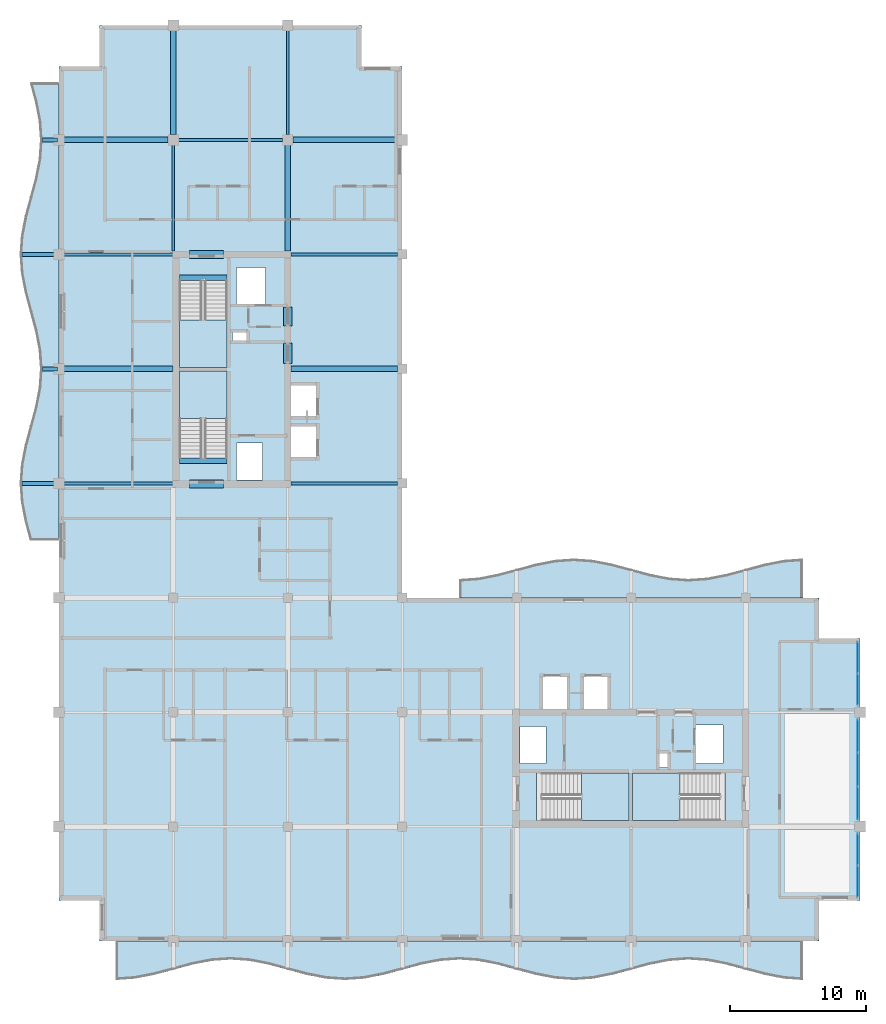
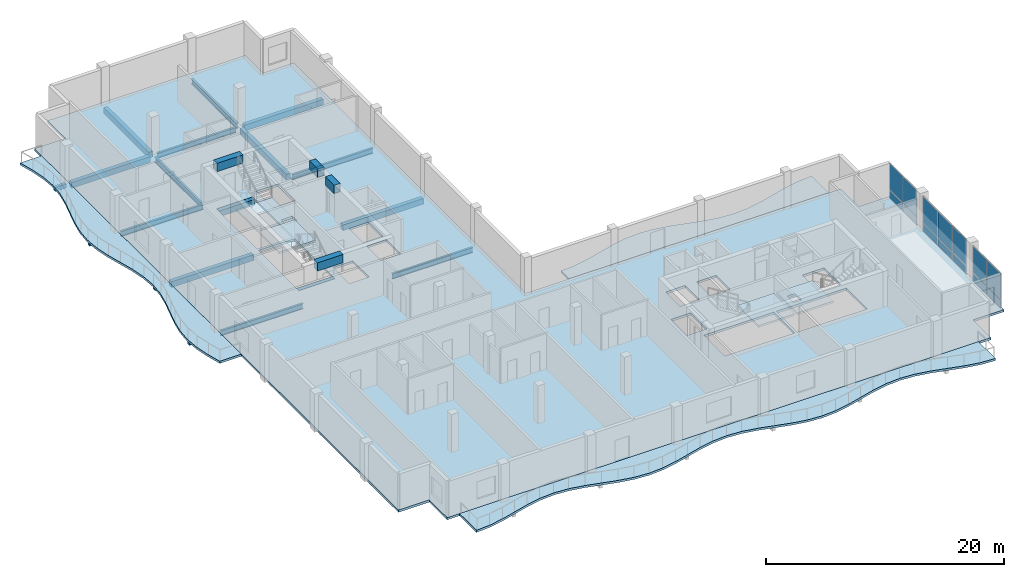
# One storey, part 5 of 14: 23 beams, 14 plates, 8 slabs, 7 elements without a shape of their own.
"""IFC4 building model written with IfcOpenShell, lengths in metres."""

import ifcopenshell
import ifcopenshell.guid

model = None  # the IFC model being written
_history = None  # IfcOwnerHistory: only IFC2X3 demands one
_inside = {}  # id of a spatial element -> (the spatial element, [elements in it])
_under = {}  # id of a project, library or spatial element -> (it, [spatial elements below it])
_declared = {}  # id of a project -> (the project, [libraries it declares])
_typed = {}  # id of a type object -> (the type object, [elements of that type])
_made_of = {}  # id of a material, layer set ... -> (it, [elements and type objects made of it])


def new_model(schema):
    """Start an empty IFC model of exactly this schema.

    Asked for "IFC4X3", IfcOpenShell would pick the latest addendum, in which some entities
    have other attributes; the version numbers below select the first issue.
    IFC2X3 requires an IfcOwnerHistory on every rooted entity: one is made here for all.
    """
    global model, _history
    if schema == "IFC4X3":
        model = ifcopenshell.file(schema_version=(4, 3, 0, 0))
    else:
        model = ifcopenshell.file(schema=schema)
    _inside.clear()
    _under.clear()
    _declared.clear()
    _typed.clear()
    _made_of.clear()
    _history = None
    if model.schema == "IFC2X3":
        org = make("IfcOrganization", Name="unknown")
        user = make(
            "IfcPersonAndOrganization",
            ThePerson=make("IfcPerson", FamilyName="unknown"),
            TheOrganization=org,
        )
        app = make(
            "IfcApplication",
            ApplicationDeveloper=org,
            Version="unknown",
            ApplicationFullName="unknown",
            ApplicationIdentifier="unknown",
        )
        _history = make(
            "IfcOwnerHistory",
            OwningUser=user,
            OwningApplication=app,
            ChangeAction="ADDED",
            CreationDate=0,
        )
    return model


def make(cls, **values):
    """One entity of the class cls with the attributes given. An attribute that is None is left unset."""
    return model.create_entity(
        cls, **{name: value for name, value in values.items() if value is not None}
    )


def rooted(cls, **values):
    """An entity with a GlobalId (a new one), such as an element, a storey or a relation."""
    return make(cls, GlobalId=ifcopenshell.guid.new(), OwnerHistory=_history, **values)


def si_unit(unit_type, name, prefix=None):
    """IfcSIUnit, for example si_unit("LENGTHUNIT", "METRE", prefix="MILLI")."""
    return make("IfcSIUnit", UnitType=unit_type, Prefix=prefix, Name=name)


def assignment(units):
    """IfcUnitAssignment: the units of a project."""
    return None if units is None else make("IfcUnitAssignment", Units=units)


def point(xyz):
    """IfcCartesianPoint."""
    return None if xyz is None else make("IfcCartesianPoint", Coordinates=xyz)


def direction(xyz):
    """IfcDirection."""
    return None if xyz is None else make("IfcDirection", DirectionRatios=xyz)


def frame(location, z_axis=None, x_axis=None):
    """IfcAxis2Placement3D, a coordinate frame: its origin and axes. An axis left out is left unset."""
    return make(
        "IfcAxis2Placement3D",
        Location=point(location),
        Axis=direction(z_axis),
        RefDirection=direction(x_axis),
    )


def frame_2d(location, x_axis=None):
    """IfcAxis2Placement2D, a coordinate frame in the plane: its origin and x axis."""
    return make(
        "IfcAxis2Placement2D", Location=point(location), RefDirection=direction(x_axis)
    )


def origin():
    """The frame at (0, 0, 0) with its axes left unset."""
    return frame((0.0, 0.0, 0.0))


def origin_2d():
    """The frame at (0, 0) in the plane with its x axis left unset."""
    return frame_2d((0.0, 0.0))


def place(relative_to, where):
    """IfcLocalPlacement: puts the frame where relative to a parent placement (None: the world)."""
    return make(
        "IfcLocalPlacement", PlacementRelTo=relative_to, RelativePlacement=where
    )


def context(
    kind, dimensions, precision=None, world=None, true_north=None, identifier=None
):
    """IfcGeometricRepresentationContext, for example the 3D "Model" context."""
    return make(
        "IfcGeometricRepresentationContext",
        ContextIdentifier=identifier,
        ContextType=kind,
        CoordinateSpaceDimension=dimensions,
        Precision=precision,
        WorldCoordinateSystem=world,
        TrueNorth=true_north,
    )


def subcontext(parent, identifier, kind, view, scale=None):
    """IfcGeometricRepresentationSubContext, for example "Body" below "Model"."""
    return make(
        "IfcGeometricRepresentationSubContext",
        ContextIdentifier=identifier,
        ContextType=kind,
        ParentContext=parent,
        TargetScale=scale,
        TargetView=view,
    )


def project(units=None, contexts=None):
    """IfcProject with its units and contexts."""
    return rooted(
        "IfcProject",
        Name="project",
        RepresentationContexts=contexts,
        UnitsInContext=assignment(units),
    )


def spatial(cls, under=None, at=None, **own):
    """A site, building, storey or space (cls), placed at a placement, below another one or the project."""
    s = rooted(cls, ObjectPlacement=at, **own)
    if under is not None:
        _under.setdefault(under.id(), (under, []))[1].append(s)
    return s


def polyline(points):
    """IfcPolyline through the points."""
    return make("IfcPolyline", Points=[point(p) for p in points])


def profile(cls, at=None, kind="AREA", **sizes):
    """A parametric profile (cls). Its sizes go by their IFC names, for example OverallWidth=200.0."""
    return make(cls, ProfileType=kind, Position=at, **sizes)


def rectangle(**sizes):
    """IfcRectangleProfileDef."""
    return profile("IfcRectangleProfileDef", **sizes)


def i_section(**sizes):
    """IfcIShapeProfileDef."""
    return profile("IfcIShapeProfileDef", **sizes)


def outline(outer, holes=None, kind="AREA"):
    """IfcArbitraryClosedProfileDef: a profile drawn as a closed curve; with holes, ...WithVoids."""
    if holes is None:
        return make("IfcArbitraryClosedProfileDef", ProfileType=kind, OuterCurve=outer)
    return make(
        "IfcArbitraryProfileDefWithVoids",
        ProfileType=kind,
        OuterCurve=outer,
        InnerCurves=holes,
    )


def extrude(swept, where, along, depth):
    """IfcExtrudedAreaSolid: the profile swept, set in the frame where, extruded along a direction by depth."""
    return make(
        "IfcExtrudedAreaSolid",
        SweptArea=swept,
        Position=where,
        ExtrudedDirection=direction(along),
        Depth=depth,
    )


def shape(context_of_items, identifier, shape_type, items):
    """IfcShapeRepresentation: the items that make up one representation, for example the "Body"."""
    return make(
        "IfcShapeRepresentation",
        ContextOfItems=context_of_items,
        RepresentationIdentifier=identifier,
        RepresentationType=shape_type,
        Items=items,
    )


def material(Name=None, Category=None):
    """IfcMaterial."""
    return make("IfcMaterial", Name=Name, Category=Category)


def layer(
    of_material, thickness, ventilated=None, Name=None, Category=None, Priority=None
):
    """IfcMaterialLayer: one layer of a wall or slab, of a material (None: an air gap)."""
    return make(
        "IfcMaterialLayer",
        Material=of_material,
        LayerThickness=thickness,
        IsVentilated=ventilated,
        Name=Name,
        Category=Category,
        Priority=Priority,
    )


def layer_set(layers, Name=None):
    """IfcMaterialLayerSet."""
    return make("IfcMaterialLayerSet", MaterialLayers=layers, LayerSetName=Name)


def material_profile(
    of_material, cross_section, Name=None, Category=None, Priority=None
):
    """IfcMaterialProfile: a cross section and its material."""
    return make(
        "IfcMaterialProfile",
        Name=Name,
        Material=of_material,
        Profile=cross_section,
        Priority=Priority,
        Category=Category,
    )


def profile_set(profiles, Name=None, composite=None):
    """IfcMaterialProfileSet."""
    return make(
        "IfcMaterialProfileSet",
        Name=Name,
        MaterialProfiles=profiles,
        CompositeProfile=composite,
    )


def made_of(thing, what):
    """Note that an element or type object is made of a material, layer set ...; save() writes the relation."""
    if what is not None:
        _made_of.setdefault(what.id(), (what, []))[1].append(thing)
    return thing


def type_object(cls, material=None, **own):
    """A type object (cls), such as IfcWallType, which elements share."""
    return made_of(rooted(cls, **own), material)


def element(
    cls,
    number,
    at=None,
    inside=None,
    cuts=None,
    type_object=None,
    material=None,
    context=None,
    identifier="Body",
    shape_type=None,
    held_by="IfcProductDefinitionShape",
    body=None,
    shapes=None,
    **own,
):
    """One element of the class cls, such as IfcWall. Its Tag is "e" and its number.

    at: its placement. inside: the storey or other place that contains it. cuts: it is an
    opening in that element (IfcRelVoidsElement). A single representation is given by context,
    identifier, shape_type and body (its items); several are given by shapes. held_by: the class
    of the entity that holds the representations. save() writes the other relations.
    """
    e = rooted(cls, Tag="e%d" % number, ObjectPlacement=at, **own)
    if body is not None:
        shapes = [shape(context, identifier, shape_type, body)]
    if shapes is not None:
        e.Representation = make(held_by, Representations=shapes)
    if inside is not None:
        _inside.setdefault(inside.id(), (inside, []))[1].append(e)
    if cuts is not None:
        rooted(
            "IfcRelVoidsElement", RelatingBuildingElement=cuts, RelatedOpeningElement=e
        )
    if type_object is not None:
        _typed.setdefault(type_object.id(), (type_object, []))[1].append(e)
    return made_of(e, material)


def aggregate(whole, parts):
    """IfcRelAggregates: a whole, such as a stair, and the parts it consists of."""
    return rooted("IfcRelAggregates", RelatingObject=whole, RelatedObjects=parts)


def save(model, path):
    """Write the relations noted so far, then the file.

    IfcRelAggregates (storeys below a building ...), IfcRelContainedInSpatialStructure (elements
    in a storey), IfcRelDefinesByType, IfcRelAssociatesMaterial and IfcRelDeclares: one each for
    every whole, place, type object, material and project.
    """
    for whole, parts in _under.values():
        aggregate(whole, parts)
    for where, things in _inside.values():
        rooted(
            "IfcRelContainedInSpatialStructure",
            RelatedElements=things,
            RelatingStructure=where,
        )
    for kind, things in _typed.values():
        rooted("IfcRelDefinesByType", RelatedObjects=things, RelatingType=kind)
    for what, things in _made_of.values():
        rooted("IfcRelAssociatesMaterial", RelatedObjects=things, RelatingMaterial=what)
    for by, libraries in _declared.values():
        rooted("IfcRelDeclares", RelatingContext=by, RelatedDefinitions=libraries)
    model.write(path)


model = new_model("IFC4")

# Units and contexts
model_context = context("Model", 3, precision=1e-05, world=origin(), true_north=direction((0.0, 1.0)))
body_context = subcontext(model_context, "Body", "Model", "MODEL_VIEW")
ifc_project = project(units=[si_unit("LENGTHUNIT", "METRE"), si_unit("AREAUNIT", "SQUARE_METRE"), si_unit("VOLUMEUNIT", "CUBIC_METRE"), si_unit("PLANEANGLEUNIT", "RADIAN"), si_unit("MASSUNIT", "GRAM", prefix="KILO")], contexts=[model_context])

# Site, building, storey
site_placement = place(None, origin())
site = spatial("IfcSite", under=ifc_project, at=site_placement, CompositionType="ELEMENT")
building_placement = place(site_placement, origin())
building = spatial("IfcBuilding", under=site, at=building_placement, Name="Koriwani Terraces Tower", CompositionType="ELEMENT")
storey_placement = place(building_placement, frame((0.0, 0.0, 308.60009765625)))
storey = spatial("IfcBuildingStorey", under=building, at=storey_placement, Name="L76", CompositionType="ELEMENT", Elevation=308.60009765625)

# Beams
ifc_material_1 = material(Name="Concrete C40/50", Category="concrete")
ifc_material_profile_1 = material_profile(ifc_material_1, rectangle(XDim=0.300048828125, YDim=0.39990234375, at=origin_2d()), Name="Concrete C40/50", Category="LoadBearing")
ifc_profile_set_1 = profile_set([ifc_material_profile_1], Name="Concrete C40/50")
beam_type_1 = type_object("IfcBeamType", Name="BEAM_RC_BALCONY_RIB_300X400", PredefinedType="JOIST", material=ifc_profile_set_1)
beam_1_placement = place(storey_placement, frame((5.699951171875, 42.0, -0.43017578125), z_axis=(1.0, 0.0, 0.0), x_axis=(0.0, 1.0, 0.0)))
element("IfcBeam", 1, at=beam_1_placement, inside=storey, type_object=beam_type_1, Name="L76 Balcony Bracket Rib W-1", PredefinedType="JOIST", context=body_context, shape_type="SweptSolid", body=[
    extrude(rectangle(XDim=0.300048828125, YDim=0.39990234375, at=origin_2d()), origin(), (0.0, 0.0, 1.0), 2.60009765625),
])
beam_2_placement = place(storey_placement, frame((7.199951171875, 50.39990234375, -0.43017578125), z_axis=(1.0, 0.0, 0.0), x_axis=(0.0, 1.0, 0.0)))
element("IfcBeam", 2, at=beam_2_placement, inside=storey, type_object=beam_type_1, Name="L76 Balcony Bracket Rib W-2", PredefinedType="JOIST", context=body_context, shape_type="SweptSolid", body=[
    extrude(rectangle(XDim=0.300048828125, YDim=0.39990234375, at=origin_2d()), origin(), (0.0, 0.0, 1.0), 1.10009765625),
])
beam_3_placement = place(storey_placement, frame((5.699951171875, 58.800048828125, -0.43017578125), z_axis=(1.0, 0.0, 0.0), x_axis=(0.0, 1.0, 0.0)))
element("IfcBeam", 3, at=beam_3_placement, inside=storey, type_object=beam_type_1, Name="L76 Balcony Bracket Rib W-3", PredefinedType="JOIST", context=body_context, shape_type="SweptSolid", body=[
    extrude(rectangle(XDim=0.300048828125, YDim=0.39990234375, at=origin_2d()), origin(), (0.0, 0.0, 1.0), 2.60009765625),
])
beam_4_placement = place(storey_placement, frame((7.199951171875, 67.199951171875, -0.43017578125), z_axis=(1.0, 0.0, 0.0), x_axis=(0.0, 1.0, 0.0)))
element("IfcBeam", 4, at=beam_4_placement, inside=storey, type_object=beam_type_1, Name="L76 Balcony Bracket Rib W-4", PredefinedType="JOIST", context=body_context, shape_type="SweptSolid", body=[
    extrude(rectangle(XDim=0.300048828125, YDim=0.39990234375, at=origin_2d()), origin(), (0.0, 0.0, 1.0), 1.10009765625),
])
ifc_material_2 = material(Name="Concrete C50/60", Category="concrete")
ifc_material_profile_2 = material_profile(ifc_material_2, rectangle(XDim=0.60009765625, YDim=0.85009765625, at=origin_2d()), Name="Concrete C50/60", Category="LoadBearing")
ifc_profile_set_2 = profile_set([ifc_material_profile_2], Name="Concrete C50/60")
beam_type_2 = type_object("IfcBeamType", Name="BEAM_RC_COUPLING_600X850", PredefinedType="LINTEL", material=ifc_profile_set_2)
beam_5_placement = place(storey_placement, frame((25.199951171875, 50.800048828125, 3.244873046875), z_axis=(0.0, 1.0, 0.0), x_axis=(-1.0, 0.0, 0.0)))
element("IfcBeam", 5, at=beam_5_placement, inside=storey, type_object=beam_type_2, Name="L76 Core Coupling Lintel Beam WE1", PredefinedType="LINTEL", context=body_context, shape_type="SweptSolid", body=[
    extrude(rectangle(XDim=0.60009765625, YDim=0.85009765625, at=origin_2d()), origin(), (0.0, 0.0, 1.0), 1.47998046875),
])
beam_6_placement = place(storey_placement, frame((25.199951171875, 53.550048828125, 3.244873046875), z_axis=(0.0, 1.0, 0.0), x_axis=(-1.0, 0.0, 0.0)))
element("IfcBeam", 6, at=beam_6_placement, inside=storey, type_object=beam_type_2, Name="L76 Core Coupling Lintel Beam WE2", PredefinedType="LINTEL", context=body_context, shape_type="SweptSolid", body=[
    extrude(rectangle(XDim=0.60009765625, YDim=0.85009765625, at=origin_2d()), origin(), (0.0, 0.0, 1.0), 1.39990234375),
])
for number, where, z_axis, x_axis, name in (
    (7, (18.0, 41.949951171875, 3.244873046875), (1.0, 0.0, 0.0), (0.0, 1.0, 0.0), "L76 Core Coupling Lintel Beam WS"),
    (8, (18.0, 58.800048828125, 3.244873046875), (1.0, 0.0, 0.0), (0.0, 1.0, 0.0), "L76 Core Coupling Lintel Beam WN"),
):
    element("IfcBeam", number, at=place(storey_placement, frame(where, z_axis=z_axis, x_axis=x_axis)), inside=storey, type_object=beam_type_2, Name=name, PredefinedType="LINTEL", context=body_context, shape_type="SweptSolid", body=[
        extrude(rectangle(XDim=0.60009765625, YDim=0.85009765625, at=origin_2d()), origin(), (0.0, 0.0, 1.0), 2.5),
    ])
ifc_material_profile_3 = material_profile(ifc_material_1, rectangle(XDim=0.39990234375, YDim=0.60009765625, at=origin_2d()), Name="Concrete C40/50", Category="LoadBearing")
ifc_profile_set_3 = profile_set([ifc_material_profile_3], Name="Concrete C40/50")
beam_type_3 = type_object("IfcBeamType", Name="BEAM_RC_GRID_400X600", PredefinedType="BEAM", material=ifc_profile_set_3)
for number, where, z_axis, x_axis, name in (
    (9, (17.25, 43.655029296875, -0.300048828125), (1.0, 0.0, 0.0), (0.0, 1.0, 0.0), "L76 Stairwell Header Trimmer Beam ST-W1"),
    (10, (17.25, 57.094970703125, -0.300048828125), (1.0, 0.0, 0.0), (0.0, 1.0, 0.0), "L76 Stairwell Header Trimmer Beam ST-W2"),
):
    element("IfcBeam", number, at=place(storey_placement, frame(where, z_axis=z_axis, x_axis=x_axis)), inside=storey, type_object=beam_type_3, Name=name, PredefinedType="BEAM", context=body_context, shape_type="SweptSolid", body=[
        extrude(rectangle(XDim=0.39990234375, YDim=0.60009765625, at=origin_2d()), origin(), (0.0, 0.0, 1.0), 3.5),
    ])
beam_7_placement = place(storey_placement, frame((8.780029296875, 50.39990234375, -0.530029296875), z_axis=(1.0, 0.0, 0.0), x_axis=(0.0, 1.0, 0.0)))
element("IfcBeam", 11, at=beam_7_placement, inside=storey, type_object=beam_type_3, Name="L76 Grid Beam G (8.4-16.8m)", PredefinedType="BEAM", context=body_context, shape_type="SweptSolid", body=[
    extrude(rectangle(XDim=0.39990234375, YDim=0.60009765625, at=origin_2d()), origin(), (0.0, 0.0, 1.0), 7.989990234375),
])
beam_8_placement = place(storey_placement, frame((25.429931640625, 50.39990234375, -0.530029296875), z_axis=(1.0, 0.0, 0.0), x_axis=(0.0, 1.0, 0.0)))
element("IfcBeam", 12, at=beam_8_placement, inside=storey, type_object=beam_type_3, Name="L76 Grid Beam G (25.2-33.6m)", PredefinedType="BEAM", context=body_context, shape_type="SweptSolid", body=[
    extrude(rectangle(XDim=0.39990234375, YDim=0.60009765625, at=origin_2d()), origin(), (0.0, 0.0, 1.0), 7.840087890625),
])
for number, where, z_axis, x_axis, name in (
    (13, (8.780029296875, 67.199951171875, -0.530029296875), (1.0, 0.0, 0.0), (0.0, 1.0, 0.0), "L76 Grid Beam I (8.4-16.8m)"),
    (14, (25.580078125, 67.199951171875, -0.530029296875), (1.0, 0.0, 0.0), (0.0, 1.0, 0.0), "L76 Grid Beam I (25.2-33.6m)"),
    (15, (16.800048828125, 67.580078125, -0.530029296875), (0.0, 1.0, 0.0), (-1.0, 0.0, 0.0), "L76 Grid Beam 3 (67.2-75.6m)"),
):
    element("IfcBeam", number, at=place(storey_placement, frame(where, z_axis=z_axis, x_axis=x_axis)), inside=storey, type_object=beam_type_3, Name=name, PredefinedType="BEAM", context=body_context, shape_type="SweptSolid", body=[
        extrude(rectangle(XDim=0.39990234375, YDim=0.60009765625, at=origin_2d()), origin(), (0.0, 0.0, 1.0), 7.639892578125),
    ])
beam_9_placement = place(storey_placement, frame((25.199951171875, 59.030029296875, -0.530029296875), z_axis=(0.0, 1.0, 0.0), x_axis=(-1.0, 0.0, 0.0)))
element("IfcBeam", 16, at=beam_9_placement, inside=storey, type_object=beam_type_3, Name="L76 Grid Beam 4 (58.8-67.2m)", PredefinedType="BEAM", context=body_context, shape_type="SweptSolid", body=[
    extrude(rectangle(XDim=0.39990234375, YDim=0.60009765625, at=origin_2d()), origin(), (0.0, 0.0, 1.0), 7.7900390625),
])
ifc_material_3 = material(Name="Steel ASTM A572 Grade 50", Category="steel")
ifc_material_profile_4 = material_profile(ifc_material_3, i_section(OverallWidth=0.2119140625, OverallDepth=0.54296875, WebThickness=0.0126953125, FlangeThickness=0.021240234375, at=origin_2d()), Name="Steel ASTM A572 Grade 50", Category="LoadBearing")
ifc_profile_set_4 = profile_set([ifc_material_profile_4], Name="Steel ASTM A572 Grade 50")
beam_type_4 = type_object("IfcBeamType", Name="STEEL_BEAM_W530X150", PredefinedType="BEAM", material=ifc_profile_set_4)
beam_10_placement = place(storey_placement, frame((8.780029296875, 42.0, -0.501708984375), z_axis=(1.0, 0.0, 0.0), x_axis=(0.0, 1.0, 0.0)))
element("IfcBeam", 17, at=beam_10_placement, inside=storey, type_object=beam_type_4, Name="L76 Grid Beam F (8.4-16.8m)", PredefinedType="BEAM", context=body_context, shape_type="SweptSolid", body=[
    extrude(i_section(OverallWidth=0.2119140625, OverallDepth=0.54296875, WebThickness=0.0126953125, FlangeThickness=0.021240234375, at=origin_2d()), origin(), (0.0, 0.0, 1.0), 7.989990234375),
])
beam_11_placement = place(storey_placement, frame((25.429931640625, 42.0, -0.501708984375), z_axis=(1.0, 0.0, 0.0), x_axis=(0.0, 1.0, 0.0)))
element("IfcBeam", 18, at=beam_11_placement, inside=storey, type_object=beam_type_4, Name="L76 Grid Beam F (25.2-33.6m)", PredefinedType="BEAM", context=body_context, shape_type="SweptSolid", body=[
    extrude(i_section(OverallWidth=0.2119140625, OverallDepth=0.54296875, WebThickness=0.0126953125, FlangeThickness=0.021240234375, at=origin_2d()), origin(), (0.0, 0.0, 1.0), 7.840087890625),
])
beam_12_placement = place(storey_placement, frame((8.780029296875, 58.800048828125, -0.501708984375), z_axis=(1.0, 0.0, 0.0), x_axis=(0.0, 1.0, 0.0)))
element("IfcBeam", 19, at=beam_12_placement, inside=storey, type_object=beam_type_4, Name="L76 Grid Beam H (8.4-16.8m)", PredefinedType="BEAM", context=body_context, shape_type="SweptSolid", body=[
    extrude(i_section(OverallWidth=0.2119140625, OverallDepth=0.54296875, WebThickness=0.0126953125, FlangeThickness=0.021240234375, at=origin_2d()), origin(), (0.0, 0.0, 1.0), 7.989990234375),
])
beam_13_placement = place(storey_placement, frame((25.429931640625, 58.800048828125, -0.501708984375), z_axis=(1.0, 0.0, 0.0), x_axis=(0.0, 1.0, 0.0)))
element("IfcBeam", 20, at=beam_13_placement, inside=storey, type_object=beam_type_4, Name="L76 Grid Beam H (25.2-33.6m)", PredefinedType="BEAM", context=body_context, shape_type="SweptSolid", body=[
    extrude(i_section(OverallWidth=0.2119140625, OverallDepth=0.54296875, WebThickness=0.0126953125, FlangeThickness=0.021240234375, at=origin_2d()), origin(), (0.0, 0.0, 1.0), 7.840087890625),
])
beam_14_placement = place(storey_placement, frame((17.179931640625, 67.199951171875, -0.501708984375), z_axis=(1.0, 0.0, 0.0), x_axis=(0.0, 1.0, 0.0)))
element("IfcBeam", 21, at=beam_14_placement, inside=storey, type_object=beam_type_4, Name="L76 Grid Beam I (16.8-25.2m)", PredefinedType="BEAM", context=body_context, shape_type="SweptSolid", body=[
    extrude(i_section(OverallWidth=0.2119140625, OverallDepth=0.54296875, WebThickness=0.0126953125, FlangeThickness=0.021240234375, at=origin_2d()), origin(), (0.0, 0.0, 1.0), 7.64013671875),
])
beam_15_placement = place(storey_placement, frame((16.800048828125, 59.030029296875, -0.501708984375), z_axis=(0.0, 1.0, 0.0), x_axis=(-1.0, 0.0, 0.0)))
element("IfcBeam", 22, at=beam_15_placement, inside=storey, type_object=beam_type_4, Name="L76 Grid Beam 3 (58.8-67.2m)", PredefinedType="BEAM", context=body_context, shape_type="SweptSolid", body=[
    extrude(i_section(OverallWidth=0.2119140625, OverallDepth=0.54296875, WebThickness=0.0126953125, FlangeThickness=0.021240234375, at=origin_2d()), origin(), (0.0, 0.0, 1.0), 7.7900390625),
])
beam_16_placement = place(storey_placement, frame((25.199951171875, 67.580078125, -0.501708984375), z_axis=(0.0, 1.0, 0.0), x_axis=(-1.0, 0.0, 0.0)))
element("IfcBeam", 23, at=beam_16_placement, inside=storey, type_object=beam_type_4, Name="L76 Grid Beam 4 (67.2-75.6m)", PredefinedType="BEAM", context=body_context, shape_type="SweptSolid", body=[
    extrude(i_section(OverallWidth=0.2119140625, OverallDepth=0.54296875, WebThickness=0.0126953125, FlangeThickness=0.021240234375, at=origin_2d()), origin(), (0.0, 0.0, 1.0), 7.639892578125),
])

# Curtain wall, plates
ifc_material_4 = material(Name="Anodised Bronze Aluminium", Category="aluminium")
ifc_layer_1 = layer(ifc_material_4, 0.18994140625, Name="Anodised Bronze Aluminium")
ifc_layer_set_1 = layer_set([ifc_layer_1], Name="Anodised Bronze Aluminium")
curtain_wall_type = type_object("IfcCurtainWallType", Name="CW_PENTHOUSE_ZONE5", PredefinedType="NOTDEFINED", material=ifc_layer_set_1)
curtain_wall_1_placement = place(storey_placement, origin())
curtain_wall_1 = element("IfcCurtainWall", 24, at=curtain_wall_1_placement, inside=storey, type_object=curtain_wall_type, Name="L76 Unitised Curtain Wall (E_TIP) Bay 1", PredefinedType="NOTDEFINED")
ifc_material_5 = material(Name="Tempered Laminated Low-E Glass", Category="glass")
ifc_layer_2 = layer(ifc_material_5, 0.028076171875, Name="Tempered Laminated Low-E Glass")
ifc_layer_set_2 = layer_set([ifc_layer_2], Name="Tempered Laminated Low-E Glass")
plate_type = type_object("IfcPlateType", Name="CW_PANEL_VISION_28", PredefinedType="CURTAIN_PANEL", material=ifc_layer_set_2)
plate_1_placement = place(storey_placement, frame((67.02490234375, 29.215087890625, 0.06494140625), z_axis=(0.0, 0.0, 1.0), x_axis=(0.0, -1.0, 0.0)))
plate_1 = element("IfcPlate", 25, at=plate_1_placement, type_object=plate_type, Name="CW-Z5 panel 1.1", PredefinedType="CURTAIN_PANEL", context=body_context, shape_type="SweptSolid", body=[
    extrude(rectangle(XDim=2.27001953125, YDim=0.028076171875, at=origin_2d()), origin(), (0.0, 0.0, 1.0), 0.802490234375),
])
plate_2_placement = place(storey_placement, frame((67.02490234375, 29.215087890625, 0.93212890625), z_axis=(0.0, 0.0, 1.0), x_axis=(0.0, -1.0, 0.0)))
plate_2 = element("IfcPlate", 26, at=plate_2_placement, type_object=plate_type, Name="CW-Z5 panel 1.2", PredefinedType="CURTAIN_PANEL", context=body_context, shape_type="SweptSolid", body=[
    extrude(rectangle(XDim=2.27001953125, YDim=0.028076171875, at=origin_2d()), origin(), (0.0, 0.0, 1.0), 2.672607421875),
])
plate_3_placement = place(storey_placement, frame((67.02490234375, 26.8701171875, 0.06494140625), z_axis=(0.0, 0.0, 1.0), x_axis=(0.0, -1.0, 0.0)))
plate_3 = element("IfcPlate", 27, at=plate_3_placement, type_object=plate_type, Name="CW-Z5 panel 2.1", PredefinedType="CURTAIN_PANEL", context=body_context, shape_type="SweptSolid", body=[
    extrude(rectangle(XDim=2.27001953125, YDim=0.028076171875, at=origin_2d()), origin(), (0.0, 0.0, 1.0), 0.802490234375),
])
plate_4_placement = place(storey_placement, frame((67.02490234375, 26.8701171875, 0.93212890625), z_axis=(0.0, 0.0, 1.0), x_axis=(0.0, -1.0, 0.0)))
plate_4 = element("IfcPlate", 28, at=plate_4_placement, type_object=plate_type, Name="CW-Z5 panel 2.2", PredefinedType="CURTAIN_PANEL", context=body_context, shape_type="SweptSolid", body=[
    extrude(rectangle(XDim=2.27001953125, YDim=0.028076171875, at=origin_2d()), origin(), (0.0, 0.0, 1.0), 2.672607421875),
])
aggregate(curtain_wall_1, [plate_1, plate_2, plate_3, plate_4])

curtain_wall_2_placement = place(storey_placement, origin())
curtain_wall_2 = element("IfcCurtainWall", 29, at=curtain_wall_2_placement, inside=storey, type_object=curtain_wall_type, Name="L76 Unitised Curtain Wall (E_TIP) Bay 2", PredefinedType="NOTDEFINED")
plate_5_placement = place(storey_placement, frame((67.02490234375, 23.474609375, 0.06494140625), z_axis=(0.0, 0.0, 1.0), x_axis=(0.0, -1.0, 0.0)))
plate_5 = element("IfcPlate", 30, at=plate_5_placement, type_object=plate_type, Name="CW-Z5 panel 1.1", PredefinedType="CURTAIN_PANEL", context=body_context, shape_type="SweptSolid", body=[
    extrude(rectangle(XDim=2.380859375, YDim=0.028076171875, at=origin_2d()), origin(), (0.0, 0.0, 1.0), 0.802490234375),
])
plate_6_placement = place(storey_placement, frame((67.02490234375, 23.474609375, 0.93212890625), z_axis=(0.0, 0.0, 1.0), x_axis=(0.0, -1.0, 0.0)))
plate_6 = element("IfcPlate", 31, at=plate_6_placement, type_object=plate_type, Name="CW-Z5 panel 1.2", PredefinedType="CURTAIN_PANEL", context=body_context, shape_type="SweptSolid", body=[
    extrude(rectangle(XDim=2.380859375, YDim=0.028076171875, at=origin_2d()), origin(), (0.0, 0.0, 1.0), 2.672607421875),
])
plate_7_placement = place(storey_placement, frame((67.02490234375, 21.0, 0.06494140625), z_axis=(0.0, 0.0, 1.0), x_axis=(0.0, -1.0, 0.0)))
plate_7 = element("IfcPlate", 32, at=plate_7_placement, type_object=plate_type, Name="CW-Z5 panel 2.1", PredefinedType="CURTAIN_PANEL", context=body_context, shape_type="SweptSolid", body=[
    extrude(rectangle(XDim=2.418212890625, YDim=0.028076171875, at=origin_2d()), origin(), (0.0, 0.0, 1.0), 0.802490234375),
])
plate_8_placement = place(storey_placement, frame((67.02490234375, 21.0, 0.93212890625), z_axis=(0.0, 0.0, 1.0), x_axis=(0.0, -1.0, 0.0)))
plate_8 = element("IfcPlate", 33, at=plate_8_placement, type_object=plate_type, Name="CW-Z5 panel 2.2", PredefinedType="CURTAIN_PANEL", context=body_context, shape_type="SweptSolid", body=[
    extrude(rectangle(XDim=2.418212890625, YDim=0.028076171875, at=origin_2d()), origin(), (0.0, 0.0, 1.0), 2.672607421875),
])
plate_9_placement = place(storey_placement, frame((67.02490234375, 18.525390625, 0.06494140625), z_axis=(0.0, 0.0, 1.0), x_axis=(0.0, -1.0, 0.0)))
plate_9 = element("IfcPlate", 34, at=plate_9_placement, type_object=plate_type, Name="CW-Z5 panel 3.1", PredefinedType="CURTAIN_PANEL", context=body_context, shape_type="SweptSolid", body=[
    extrude(rectangle(XDim=2.380859375, YDim=0.028076171875, at=origin_2d()), origin(), (0.0, 0.0, 1.0), 0.802490234375),
])
plate_10_placement = place(storey_placement, frame((67.02490234375, 18.525390625, 0.93212890625), z_axis=(0.0, 0.0, 1.0), x_axis=(0.0, -1.0, 0.0)))
plate_10 = element("IfcPlate", 35, at=plate_10_placement, type_object=plate_type, Name="CW-Z5 panel 3.2", PredefinedType="CURTAIN_PANEL", context=body_context, shape_type="SweptSolid", body=[
    extrude(rectangle(XDim=2.380859375, YDim=0.028076171875, at=origin_2d()), origin(), (0.0, 0.0, 1.0), 2.672607421875),
])
aggregate(curtain_wall_2, [plate_5, plate_6, plate_7, plate_8, plate_9, plate_10])

curtain_wall_3_placement = place(storey_placement, origin())
curtain_wall_3 = element("IfcCurtainWall", 36, at=curtain_wall_3_placement, inside=storey, type_object=curtain_wall_type, Name="L76 Unitised Curtain Wall (E_TIP) Bay 3", PredefinedType="NOTDEFINED")
plate_11_placement = place(storey_placement, frame((67.02490234375, 15.1298828125, 0.06494140625), z_axis=(0.0, 0.0, 1.0), x_axis=(0.0, -1.0, 0.0)))
plate_11 = element("IfcPlate", 37, at=plate_11_placement, type_object=plate_type, Name="CW-Z5 panel 1.1", PredefinedType="CURTAIN_PANEL", context=body_context, shape_type="SweptSolid", body=[
    extrude(rectangle(XDim=2.27001953125, YDim=0.028076171875, at=origin_2d()), origin(), (0.0, 0.0, 1.0), 0.802490234375),
])
plate_12_placement = place(storey_placement, frame((67.02490234375, 15.1298828125, 0.93212890625), z_axis=(0.0, 0.0, 1.0), x_axis=(0.0, -1.0, 0.0)))
plate_12 = element("IfcPlate", 38, at=plate_12_placement, type_object=plate_type, Name="CW-Z5 panel 1.2", PredefinedType="CURTAIN_PANEL", context=body_context, shape_type="SweptSolid", body=[
    extrude(rectangle(XDim=2.27001953125, YDim=0.028076171875, at=origin_2d()), origin(), (0.0, 0.0, 1.0), 2.672607421875),
])
plate_13_placement = place(storey_placement, frame((67.02490234375, 12.784912109375, 0.06494140625), z_axis=(0.0, 0.0, 1.0), x_axis=(0.0, -1.0, 0.0)))
plate_13 = element("IfcPlate", 39, at=plate_13_placement, type_object=plate_type, Name="CW-Z5 panel 2.1", PredefinedType="CURTAIN_PANEL", context=body_context, shape_type="SweptSolid", body=[
    extrude(rectangle(XDim=2.27001953125, YDim=0.028076171875, at=origin_2d()), origin(), (0.0, 0.0, 1.0), 0.802490234375),
])
plate_14_placement = place(storey_placement, frame((67.02490234375, 12.784912109375, 0.93212890625), z_axis=(0.0, 0.0, 1.0), x_axis=(0.0, -1.0, 0.0)))
plate_14 = element("IfcPlate", 40, at=plate_14_placement, type_object=plate_type, Name="CW-Z5 panel 2.2", PredefinedType="CURTAIN_PANEL", context=body_context, shape_type="SweptSolid", body=[
    extrude(rectangle(XDim=2.27001953125, YDim=0.028076171875, at=origin_2d()), origin(), (0.0, 0.0, 1.0), 2.672607421875),
])
aggregate(curtain_wall_3, [plate_11, plate_12, plate_13, plate_14])

# Slabs
ifc_layer_3 = layer(ifc_material_1, 0.219970703125, Name="Concrete C40/50")
ifc_layer_set_3 = layer_set([ifc_layer_3], Name="Concrete C40/50")
slab_type_1 = type_object("IfcSlabType", Name="SLAB_BALCONY_220", PredefinedType="FLOOR", material=ifc_layer_set_3)
slab_1_placement = place(storey_placement, frame((0.0, 0.0, -0.22021484375)))
element("IfcSlab", 41, at=slab_1_placement, inside=storey, type_object=slab_type_1, Name="L76 Quilted Circular-Arc Balcony (S)", PredefinedType="FLOOR", context=body_context, shape_type="SweptSolid", body=[
    extrude(outline(polyline([(12.60009765625, 8.39990234375), (14.0, 8.39990234375), (15.39990234375, 8.39990234375), (16.800048828125, 8.39990234375), (18.199951171875, 8.39990234375), (19.60009765625, 8.39990234375), (21.0, 8.39990234375), (22.39990234375, 8.39990234375), (23.800048828125, 8.39990234375), (25.199951171875, 8.39990234375), (26.60009765625, 8.39990234375), (28.0, 8.39990234375), (29.39990234375, 8.39990234375), (30.800048828125, 8.39990234375), (32.199951171875, 8.39990234375), (33.60009765625, 8.39990234375), (35.0, 8.39990234375), (36.39990234375, 8.39990234375), (37.800048828125, 8.39990234375), (39.199951171875, 8.39990234375), (40.60009765625, 8.39990234375), (42.0, 8.39990234375), (43.39990234375, 8.39990234375), (44.800048828125, 8.39990234375), (46.199951171875, 8.39990234375), (47.60009765625, 8.39990234375), (49.0, 8.39990234375), (50.39990234375, 8.39990234375), (51.800048828125, 8.39990234375), (53.199951171875, 8.39990234375), (54.60009765625, 8.39990234375), (56.0, 8.39990234375), (57.39990234375, 8.39990234375), (58.800048828125, 8.39990234375), (60.199951171875, 8.39990234375), (61.60009765625, 8.39990234375), (63.0, 8.39990234375), (63.0, 5.550048828125), (61.60009765625, 5.650390625), (60.199951171875, 5.925048828125), (58.800048828125, 6.300048828125), (57.39990234375, 6.675048828125), (56.0, 6.949462890625), (54.60009765625, 7.050048828125), (53.199951171875, 6.949462890625), (51.800048828125, 6.675048828125), (50.39990234375, 6.300048828125), (49.0, 5.925048828125), (47.60009765625, 5.650390625), (46.199951171875, 5.550048828125), (44.800048828125, 5.650390625), (43.39990234375, 5.925048828125), (42.0, 6.300048828125), (40.60009765625, 6.675048828125), (39.199951171875, 6.949462890625), (37.800048828125, 7.050048828125), (36.39990234375, 6.949462890625), (35.0, 6.675048828125), (33.60009765625, 6.300048828125), (32.199951171875, 5.925048828125), (30.800048828125, 5.650390625), (29.39990234375, 5.550048828125), (28.0, 5.650390625), (26.60009765625, 5.925048828125), (25.199951171875, 6.300048828125), (23.800048828125, 6.675048828125), (22.39990234375, 6.949462890625), (21.0, 7.050048828125), (19.60009765625, 6.949462890625), (18.199951171875, 6.675048828125), (16.800048828125, 6.300048828125), (15.39990234375, 5.925048828125), (14.0, 5.650390625), (12.60009765625, 5.550048828125), (12.60009765625, 8.39990234375)])), origin(), (0.0, 0.0, 1.0), 0.22021484375),
])
slab_2_placement = place(storey_placement, frame((0.0, 0.0, -0.22021484375)))
element("IfcSlab", 42, at=slab_2_placement, inside=storey, type_object=slab_type_1, Name="L76 Quilted Circular-Arc Balcony (W)", PredefinedType="FLOOR", context=body_context, shape_type="SweptSolid", body=[
    extrude(outline(polyline([(8.39990234375, 37.800048828125), (8.39990234375, 39.199951171875), (8.39990234375, 40.60009765625), (8.39990234375, 42.0), (8.39990234375, 43.39990234375), (8.39990234375, 44.800048828125), (8.39990234375, 46.199951171875), (8.39990234375, 47.60009765625), (8.39990234375, 49.0), (8.39990234375, 50.39990234375), (8.39990234375, 51.800048828125), (8.39990234375, 53.199951171875), (8.39990234375, 54.60009765625), (8.39990234375, 56.0), (8.39990234375, 57.39990234375), (8.39990234375, 58.800048828125), (8.39990234375, 60.199951171875), (8.39990234375, 61.60009765625), (8.39990234375, 63.0), (8.39990234375, 64.39990234375), (8.39990234375, 65.800048828125), (8.39990234375, 67.199951171875), (8.39990234375, 68.60009765625), (8.39990234375, 70.0), (8.39990234375, 71.39990234375), (6.300048828125, 71.39990234375), (6.675048828125, 70.0), (6.949462890625, 68.60009765625), (7.050048828125, 67.199951171875), (6.949462890625, 65.800048828125), (6.675048828125, 64.39990234375), (6.300048828125, 63.0), (5.925048828125, 61.60009765625), (5.650390625, 60.199951171875), (5.550048828125, 58.800048828125), (5.650390625, 57.39990234375), (5.925048828125, 56.0), (6.300048828125, 54.60009765625), (6.675048828125, 53.199951171875), (6.949462890625, 51.800048828125), (7.050048828125, 50.39990234375), (6.949462890625, 49.0), (6.675048828125, 47.60009765625), (6.300048828125, 46.199951171875), (5.925048828125, 44.800048828125), (5.650390625, 43.39990234375), (5.550048828125, 42.0), (5.650390625, 40.60009765625), (5.925048828125, 39.199951171875), (6.300048828125, 37.800048828125), (8.39990234375, 37.800048828125)])), origin(), (0.0, 0.0, 1.0), 0.22021484375),
])
slab_3_placement = place(storey_placement, frame((0.0, 0.0, -0.22021484375)))
element("IfcSlab", 43, at=slab_3_placement, inside=storey, type_object=slab_type_1, Name="L76 Quilted Circular-Arc Balcony (NE)", PredefinedType="FLOOR", context=body_context, shape_type="SweptSolid", body=[
    extrude(outline(polyline([(63.0, 33.60009765625), (61.60009765625, 33.60009765625), (60.199951171875, 33.60009765625), (58.800048828125, 33.60009765625), (57.39990234375, 33.60009765625), (56.0, 33.60009765625), (54.60009765625, 33.60009765625), (53.199951171875, 33.60009765625), (51.800048828125, 33.60009765625), (50.39990234375, 33.60009765625), (49.0, 33.60009765625), (47.60009765625, 33.60009765625), (46.199951171875, 33.60009765625), (44.800048828125, 33.60009765625), (43.39990234375, 33.60009765625), (42.0, 33.60009765625), (40.60009765625, 33.60009765625), (39.199951171875, 33.60009765625), (37.800048828125, 33.60009765625), (37.800048828125, 34.949951171875), (39.199951171875, 35.050537109375), (40.60009765625, 35.324951171875), (42.0, 35.699951171875), (43.39990234375, 36.074951171875), (44.800048828125, 36.349609375), (46.199951171875, 36.449951171875), (47.60009765625, 36.349609375), (49.0, 36.074951171875), (50.39990234375, 35.699951171875), (51.800048828125, 35.324951171875), (53.199951171875, 35.050537109375), (54.60009765625, 34.949951171875), (56.0, 35.050537109375), (57.39990234375, 35.324951171875), (58.800048828125, 35.699951171875), (60.199951171875, 36.074951171875), (61.60009765625, 36.349609375), (63.0, 36.449951171875), (63.0, 33.60009765625)])), origin(), (0.0, 0.0, 1.0), 0.22021484375),
])
ifc_layer_4 = layer(ifc_material_1, 0.22998046875, Name="Concrete C40/50")
ifc_layer_set_4 = layer_set([ifc_layer_4], Name="Concrete C40/50")
slab_type_2 = type_object("IfcSlabType", Name="SLAB_RES_TYP_230", PredefinedType="FLOOR", material=ifc_layer_set_4)
slab_4_placement = place(storey_placement, frame((0.0, 0.0, -0.22998046875)))
element("IfcSlab", 44, at=slab_4_placement, inside=storey, type_object=slab_type_2, Name="L76 Structural Floor Slab", PredefinedType="FLOOR", context=body_context, shape_type="SweptSolid", body=[
    extrude(outline(polyline([(11.39990234375, 8.39990234375), (64.199951171875, 8.39990234375), (64.199951171875, 11.39990234375), (67.199951171875, 11.39990234375), (67.199951171875, 30.60009765625), (64.199951171875, 30.60009765625), (64.199951171875, 33.60009765625), (33.60009765625, 33.60009765625), (33.60009765625, 72.60009765625), (30.60009765625, 72.60009765625), (30.60009765625, 75.60009765625), (11.39990234375, 75.60009765625), (11.39990234375, 72.60009765625), (8.39990234375, 72.60009765625), (8.39990234375, 11.39990234375), (11.39990234375, 11.39990234375), (11.39990234375, 8.39990234375)]), holes=[polyline([(17.25, 43.4599609375), (20.75, 43.4599609375), (20.75, 50.25), (17.25, 50.25), (17.25, 43.4599609375)]), polyline([(17.25, 50.5), (20.75, 50.5), (20.75, 57.2900390625), (17.25, 57.2900390625), (17.25, 50.5)]), polyline([(43.4599609375, 17.25), (50.25, 17.25), (50.25, 20.75), (43.4599609375, 20.75), (43.4599609375, 17.25)]), polyline([(50.5, 17.25), (57.2900390625, 17.25), (57.2900390625, 20.75), (50.5, 20.75), (50.5, 17.25)]), polyline([(25.449951171875, 43.85009765625), (27.35009765625, 43.85009765625), (27.35009765625, 46.25), (25.449951171875, 46.25), (25.449951171875, 43.85009765625)]), polyline([(25.449951171875, 46.85009765625), (27.35009765625, 46.85009765625), (27.35009765625, 49.25), (25.449951171875, 49.25), (25.449951171875, 46.85009765625)]), polyline([(43.85009765625, 25.449951171875), (45.75, 25.449951171875), (45.75, 27.85009765625), (43.85009765625, 27.85009765625), (43.85009765625, 25.449951171875)]), polyline([(46.85009765625, 25.449951171875), (48.75, 25.449951171875), (48.75, 27.85009765625), (46.85009765625, 27.85009765625), (46.85009765625, 25.449951171875)]), polyline([(21.449951171875, 55.050048828125), (23.550048828125, 55.050048828125), (23.550048828125, 57.85009765625), (21.449951171875, 57.85009765625), (21.449951171875, 55.050048828125)]), polyline([(55.050048828125, 21.449951171875), (57.14990234375, 21.449951171875), (57.14990234375, 24.25), (55.050048828125, 24.25), (55.050048828125, 21.449951171875)]), polyline([(21.449951171875, 42.25), (23.35009765625, 42.25), (23.35009765625, 44.949951171875), (21.449951171875, 44.949951171875), (21.449951171875, 42.25)]), polyline([(42.25, 21.449951171875), (44.14990234375, 21.449951171875), (44.14990234375, 24.14990234375), (42.25, 24.14990234375), (42.25, 21.449951171875)]), polyline([(21.14990234375, 52.419921875), (22.219970703125, 52.419921875), (22.219970703125, 53.179931640625), (21.14990234375, 53.179931640625), (21.14990234375, 52.419921875)]), polyline([(52.419921875, 21.14990234375), (53.179931640625, 21.14990234375), (53.179931640625, 22.219970703125), (52.419921875, 22.219970703125), (52.419921875, 21.14990234375)])]), origin(), (0.0, 0.0, 1.0), 0.22998046875),
])

# Stair, slab
stair_type = type_object("IfcStairType", Name="STAIR_CORE_DOGLEG_1650", PredefinedType="TWO_STRAIGHT_RUN_STAIR", material=ifc_material_1)
stair_1_placement = place(storey_placement, origin())
stair_1 = element("IfcStair", 45, at=stair_1_placement, inside=storey, type_object=stair_type, Name="L76 West Core Exit Stair 1", PredefinedType="HALF_TURN_STAIR")
ifc_layer_5 = layer(ifc_material_1, 0.199951171875, Name="Concrete C40/50")
ifc_layer_set_5 = layer_set([ifc_layer_5], Name="Concrete C40/50")
slab_type_3 = type_object("IfcSlabType", Name="SLAB_STAIR_LANDING_200", PredefinedType="LANDING", material=ifc_layer_set_5)
slab_5_placement = place(storey_placement, frame((0.0, 0.0, 1.75)))
slab_5 = element("IfcSlab", 46, at=slab_5_placement, type_object=slab_type_3, Name="ST-W1 landing 1", PredefinedType="LANDING", context=body_context, shape_type="SweptSolid", body=[
    extrude(outline(polyline([(20.75, 46.75), (20.75, 50.25), (17.25, 50.25), (17.25, 46.75), (20.75, 46.75)])), origin(), (0.0, 0.0, 1.0), 0.199951171875),
])
aggregate(stair_1, [slab_5])

stair_2_placement = place(storey_placement, origin())
stair_2 = element("IfcStair", 47, at=stair_2_placement, inside=storey, type_object=stair_type, Name="L76 West Core Exit Stair 2", PredefinedType="HALF_TURN_STAIR")
slab_6_placement = place(storey_placement, frame((0.0, 0.0, 1.75)))
slab_6 = element("IfcSlab", 48, at=slab_6_placement, type_object=slab_type_3, Name="ST-W2 landing 1", PredefinedType="LANDING", context=body_context, shape_type="SweptSolid", body=[
    extrude(outline(polyline([(17.25, 54.0), (17.25, 50.5), (20.75, 50.5), (20.75, 54.0), (17.25, 54.0)])), origin(), (0.0, 0.0, 1.0), 0.199951171875),
])
aggregate(stair_2, [slab_6])

stair_3_placement = place(storey_placement, origin())
stair_3 = element("IfcStair", 49, at=stair_3_placement, inside=storey, type_object=stair_type, Name="L76 East Core Exit Stair 1", PredefinedType="HALF_TURN_STAIR")
slab_7_placement = place(storey_placement, frame((0.0, 0.0, 1.75)))
slab_7 = element("IfcSlab", 50, at=slab_7_placement, type_object=slab_type_3, Name="ST-E1 landing 1", PredefinedType="LANDING", context=body_context, shape_type="SweptSolid", body=[
    extrude(outline(polyline([(46.75, 17.25), (50.25, 17.25), (50.25, 20.75), (46.75, 20.75), (46.75, 17.25)])), origin(), (0.0, 0.0, 1.0), 0.199951171875),
])
aggregate(stair_3, [slab_7])

stair_4_placement = place(storey_placement, origin())
stair_4 = element("IfcStair", 51, at=stair_4_placement, inside=storey, type_object=stair_type, Name="L76 East Core Exit Stair 2", PredefinedType="HALF_TURN_STAIR")
slab_8_placement = place(storey_placement, frame((0.0, 0.0, 1.75)))
slab_8 = element("IfcSlab", 52, at=slab_8_placement, type_object=slab_type_3, Name="ST-E2 landing 1", PredefinedType="LANDING", context=body_context, shape_type="SweptSolid", body=[
    extrude(outline(polyline([(54.0, 20.75), (50.5, 20.75), (50.5, 17.25), (54.0, 17.25), (54.0, 20.75)])), origin(), (0.0, 0.0, 1.0), 0.199951171875),
])
aggregate(stair_4, [slab_8])

save(model, "model.ifc")
